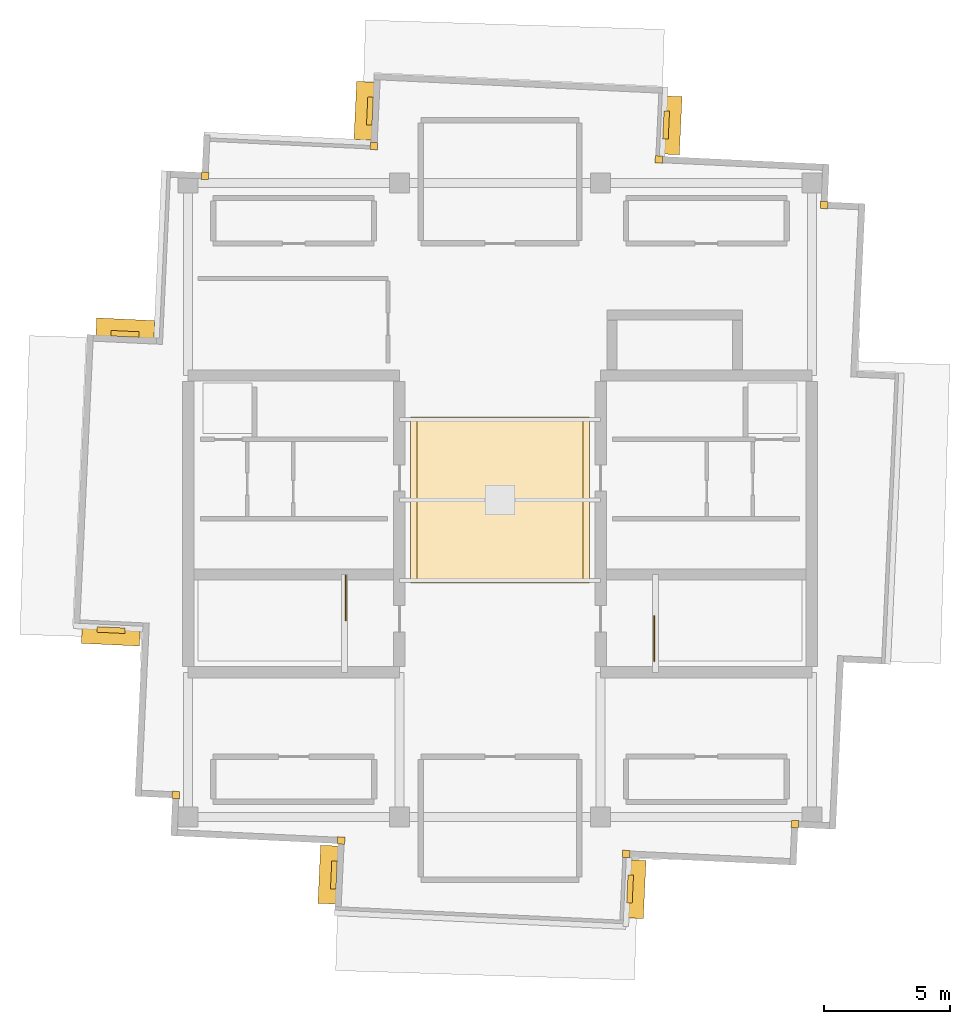
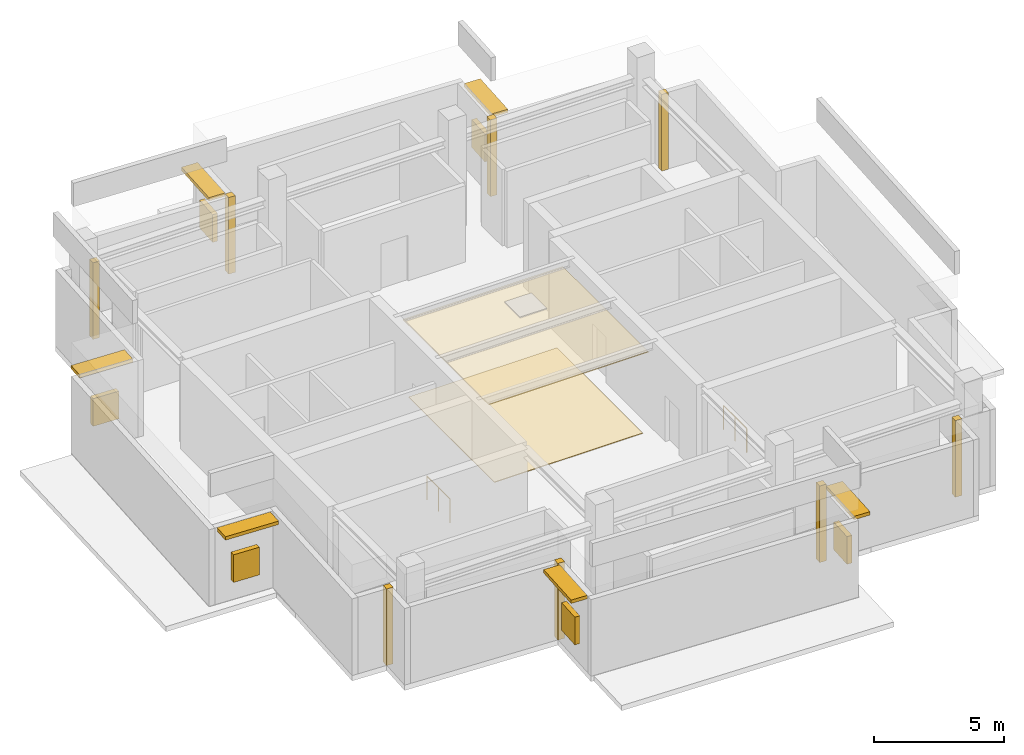
# One storey, part 4 of 4: 12 shading devices, 10 coverings, 2 railings.
"""IFC4 building model written with IfcOpenShell, lengths in metres."""

from ifc_helpers import new_model, si_unit, direction, frame, origin, origin_with_axes, origin_2d, place, context, subcontext, project, spatial, rectangle, circle, extrude, material, layer, layer_set, type_object, element, save


model = new_model("IFC4")

# Units and contexts
model_context = context("Model", 3, precision=1e-05, world=origin(), true_north=direction((0.0, 1.0)))
body_context = subcontext(model_context, "Body", "Model", "MODEL_VIEW")
ifc_project = project(units=[si_unit("LENGTHUNIT", "METRE"), si_unit("AREAUNIT", "SQUARE_METRE"), si_unit("VOLUMEUNIT", "CUBIC_METRE"), si_unit("PLANEANGLEUNIT", "RADIAN"), si_unit("MASSUNIT", "GRAM", prefix="KILO")], contexts=[model_context])

# Site, building, storey
site_placement = place(None, origin())
site = spatial("IfcSite", under=ifc_project, at=site_placement, CompositionType="ELEMENT")
building_placement = place(site_placement, origin())
building = spatial("IfcBuilding", under=site, at=building_placement, Name="Qingluan Cross Belvedere", CompositionType="ELEMENT")
storey_placement = place(building_placement, frame((0.0, 0.0, 321.89990234375)))
storey = spatial("IfcBuildingStorey", under=building, at=storey_placement, Name="L79", CompositionType="ELEMENT", Elevation=321.89990234375)

# Coverings
ifc_material_1 = material(Name="Perforated gypsum acoustic ceiling board")
ifc_layer_1 = layer(ifc_material_1, 0.0400390625, Name="AcousticLobbyCeiling_40")
ifc_layer_set_1 = layer_set([ifc_layer_1], Name="Perforated gypsum acoustic ceiling board")
covering_type_1 = type_object("IfcCoveringType", Name="AcousticLobbyCeiling_40", PredefinedType="CEILING", material=ifc_layer_set_1)
covering_1_placement = place(storey_placement, frame((0.0, 0.0, 3.72998046875), z_axis=(0.0, 0.0, 1.0), x_axis=(1.0, 0.0, 0.0)))
element("IfcCovering", 1, at=covering_1_placement, inside=storey, type_object=covering_type_1, Name="Central lobby acoustic ceiling L79", PredefinedType="CEILING", context=body_context, shape_type="SweptSolid", body=[
    extrude(rectangle(XDim=7.10009765625, YDim=6.60009765625, at=origin_2d()), origin(), (0.0, 0.0, 1.0), 0.0400390625),
])
ifc_material_2 = material(Name="Precast concrete C45", Category="concrete")
ifc_layer_2 = layer(ifc_material_2, 0.1201171875, Name="ConcreteSpandrelCladding_120")
ifc_layer_set_2 = layer_set([ifc_layer_2], Name="Precast concrete C45")
covering_type_2 = type_object("IfcCoveringType", Name="ConcreteSpandrelCladding_120", PredefinedType="CLADDING", material=ifc_layer_set_2)
for number, where, z_axis, x_axis, name in (
    (2, (12.88671875, 11.72607421875, 0.0), (0.0, 0.0, 1.0), (0.998889874962, -0.04710645071, 0.0), "Corner closure L79-NE1"),
    (3, (6.314697265625, 13.53759765625, 0.0), (0.0, 0.0, 1.0), (0.998889874962, -0.04710645071, 0.0), "Corner closure L79-NE2"),
    (4, (-11.72607421875, 12.88671875, 0.0), (0.0, 0.0, 1.0), (0.998889874962, -0.04710645071, 0.0), "Corner closure L79-NW1"),
    (5, (-5.0126953125, 14.07177734375, 0.0), (0.0, 0.0, 1.0), (0.998889874962, -0.04710645071, 0.0), "Corner closure L79-NW2"),
    (6, (-12.88671875, -11.72607421875, 0.0), (0.0, 0.0, 1.0), (0.998889874962, -0.04710645071, 0.0), "Corner closure L79-SW1"),
    (7, (-6.314697265625, -13.53759765625, 0.0), (0.0, 0.0, 1.0), (0.998889874962, -0.04710645071, 0.0), "Corner closure L79-SW2"),
    (8, (11.72607421875, -12.88671875, 0.0), (0.0, 0.0, 1.0), (0.998889874962, -0.04710645071, 0.0), "Corner closure L79-SE1"),
    (9, (5.0126953125, -14.07177734375, 0.0), (0.0, 0.0, 1.0), (0.998889874962, -0.04710645071, 0.0), "Corner closure L79-SE2"),
):
    element("IfcCovering", number, at=place(storey_placement, frame(where, z_axis=z_axis, x_axis=x_axis)), inside=storey, type_object=covering_type_2, Name=name, PredefinedType="CLADDING", context=body_context, shape_type="SweptSolid", body=[
        extrude(rectangle(XDim=0.2900390625, YDim=0.2900390625, at=origin_2d()), origin(), (0.0, 0.0, 1.0), 3.60009765625),
    ])

# Shading devices
ifc_material_3 = material(Name="Precast concrete C45", Category="concrete")
ifc_layer_3 = layer(ifc_material_3, 0.139892578125, Name="ConcreteSunshadeBand_700")
ifc_layer_set_3 = layer_set([ifc_layer_3], Name="Precast concrete C45")
shading_device_type_1 = type_object("IfcShadingDeviceType", Name="ConcreteSunshadeBand_700", PredefinedType="USERDEFINED", material=ifc_layer_set_3)
for number, where, z_axis, x_axis, name in (
    (10, (6.834228515625, 14.89453125, 3.419921875), (0.0, 0.0, 1.0), (0.047091920947, 0.998890560062, 0.0), "Concrete SUNSHADE L79-NA"),
    (11, (-5.402099609375, 15.4716796875, 3.419921875), (0.0, 0.0, 1.0), (-0.047091920947, -0.998890560062, 0.0), "Concrete SUNSHADE L79-NB"),
    (12, (-14.89453125, 6.834228515625, 3.419921875), (0.0, 0.0, 1.0), (-0.998890560062, 0.047091920947, 0.0), "Concrete SUNSHADE L79-WA"),
    (13, (-15.4716796875, -5.402099609375, 3.419921875), (0.0, 0.0, 1.0), (0.998890560062, -0.047091920947, 0.0), "Concrete SUNSHADE L79-WB"),
    (14, (-6.834228515625, -14.89453125, 3.419921875), (0.0, 0.0, 1.0), (-0.047091920947, -0.998890560062, 0.0), "Concrete SUNSHADE L79-SA"),
    (15, (5.402099609375, -15.4716796875, 3.419921875), (0.0, 0.0, 1.0), (0.047091920947, 0.998890560062, 0.0), "Concrete SUNSHADE L79-SB"),
):
    element("IfcShadingDevice", number, at=place(storey_placement, frame(where, z_axis=z_axis, x_axis=x_axis)), inside=storey, type_object=shading_device_type_1, Name=name, ObjectType="SUNSHADE", PredefinedType="USERDEFINED", context=body_context, shape_type="SweptSolid", body=[
        extrude(rectangle(XDim=2.31005859375, YDim=0.699951171875, at=origin_2d()), origin(), (0.0, 0.0, 1.0), 0.159912109375),
    ])

# Covering
ifc_material_4 = material(Name="Honed Hubei grey granite stone flooring", Category="masonry")
ifc_layer_4 = layer(ifc_material_4, 0.030029296875, Name="GraniteLobbyFlooring_30")
ifc_layer_set_4 = layer_set([ifc_layer_4], Name="Honed Hubei grey granite stone flooring")
covering_type_3 = type_object("IfcCoveringType", Name="GraniteLobbyFlooring_30", PredefinedType="FLOORING", material=ifc_layer_set_4)
covering_2_placement = place(storey_placement, origin_with_axes())
element("IfcCovering", 16, at=covering_2_placement, inside=storey, type_object=covering_type_3, Name="Central lobby granite flooring L79", PredefinedType="FLOORING", context=body_context, shape_type="SweptSolid", body=[
    extrude(rectangle(XDim=6.60009765625, YDim=6.60009765625, at=origin_2d()), origin(), (0.0, 0.0, 1.0), 0.030029296875),
])

# Shading devices
ifc_material_5 = material(Name="Anodised aluminium acoustic louvre screen", Category="aluminium")
ifc_layer_5 = layer(ifc_material_5, 0.219970703125, Name="RefugeAcousticLouvre_Screen")
ifc_layer_set_5 = layer_set([ifc_layer_5], Name="Anodised aluminium acoustic louvre screen")
shading_device_type_2 = type_object("IfcShadingDeviceType", Name="RefugeAcousticLouvre_Screen", PredefinedType="JALOUSIE", material=ifc_layer_set_5)
for number, where, z_axis, x_axis, name in (
    (17, (6.6044921875, 14.905517578125, 0.9501953125), (0.0, 0.0, 1.0), (0.047091920947, 0.998890560062, 0.0), "Plant acoustic louvre SCREEN L79-NA"),
    (18, (-5.172607421875, 15.460693359375, 0.9501953125), (0.0, 0.0, 1.0), (-0.047091920947, -0.998890560062, 0.0), "Plant acoustic louvre SCREEN L79-NB"),
    (19, (-14.905517578125, 6.6044921875, 0.9501953125), (0.0, 0.0, 1.0), (-0.998890560062, 0.047091920947, 0.0), "Plant acoustic louvre SCREEN L79-WA"),
    (20, (-15.460693359375, -5.172607421875, 0.9501953125), (0.0, 0.0, 1.0), (0.998890560062, -0.047091920947, 0.0), "Plant acoustic louvre SCREEN L79-WB"),
    (21, (-6.6044921875, -14.905517578125, 0.9501953125), (0.0, 0.0, 1.0), (-0.047091920947, -0.998890560062, 0.0), "Plant acoustic louvre SCREEN L79-SA"),
    (22, (5.172607421875, -15.460693359375, 0.9501953125), (0.0, 0.0, 1.0), (0.047091920947, 0.998890560062, 0.0), "Plant acoustic louvre SCREEN L79-SB"),
):
    element("IfcShadingDevice", number, at=place(storey_placement, frame(where, z_axis=z_axis, x_axis=x_axis)), inside=storey, type_object=shading_device_type_2, Name=name, PredefinedType="JALOUSIE", context=body_context, shape_type="SweptSolid", body=[
        extrude(rectangle(XDim=1.110107421875, YDim=0.219970703125, at=origin_2d()), origin(), (0.0, 0.0, 1.0), 1.300048828125),
    ])

# Railings
ifc_material_6 = material(Name="Painted steel stair well guard", Category="steel")
railing_type = type_object("IfcRailingType", Name="StairWellGuard_1150", PredefinedType="BALUSTRADE", material=ifc_material_6)
railing_1_placement = place(storey_placement, frame((-6.1298828125, -3.0, 0.0)))
element("IfcRailing", 23, at=railing_1_placement, inside=storey, type_object=railing_type, Name="L79 ST1 top well guard 1", PredefinedType="BALUSTRADE", context=body_context, shape_type="SweptSolid", body=[
    extrude(circle(Radius=0.02392578125, at=origin_2d()), frame((0.0, 0.0, 1.1259765625), z_axis=(0.0, -1.0, 0.0), x_axis=(1.0, 0.0, 0.0)), (0.0, 0.0, 1.0), 1.780029296875),
    extrude(circle(Radius=0.02099609375, at=origin_2d()), origin(), (0.0, 0.0, 1.0), 1.101806640625),
    extrude(circle(Radius=0.02099609375, at=origin_2d()), frame((0.0, -0.89013671875, 0.0)), (0.0, 0.0, 1.0), 1.101806640625),
    extrude(circle(Radius=0.02099609375, at=origin_2d()), frame((0.0, -1.780029296875, 0.0)), (0.0, 0.0, 1.0), 1.101806640625),
])
railing_2_placement = place(storey_placement, frame((6.1298828125, -6.39990234375, 0.0)))
element("IfcRailing", 24, at=railing_2_placement, inside=storey, type_object=railing_type, Name="L79 ST2 top well guard 1", PredefinedType="BALUSTRADE", context=body_context, shape_type="SweptSolid", body=[
    extrude(circle(Radius=0.02392578125, at=origin_2d()), frame((0.0, 0.0, 1.1259765625), z_axis=(0.0, 1.0, 0.0), x_axis=(-1.0, 0.0, 0.0)), (0.0, 0.0, 1.0), 1.77978515625),
    extrude(circle(Radius=0.02099609375, at=origin_2d()), origin(), (0.0, 0.0, 1.0), 1.101806640625),
    extrude(circle(Radius=0.02099609375, at=origin_2d()), frame((0.0, 0.889892578125, 0.0)), (0.0, 0.0, 1.0), 1.101806640625),
    extrude(circle(Radius=0.02099609375, at=origin_2d()), frame((0.0, 1.77978515625, 0.0)), (0.0, 0.0, 1.0), 1.101806640625),
])

save(model, "model.ifc")
